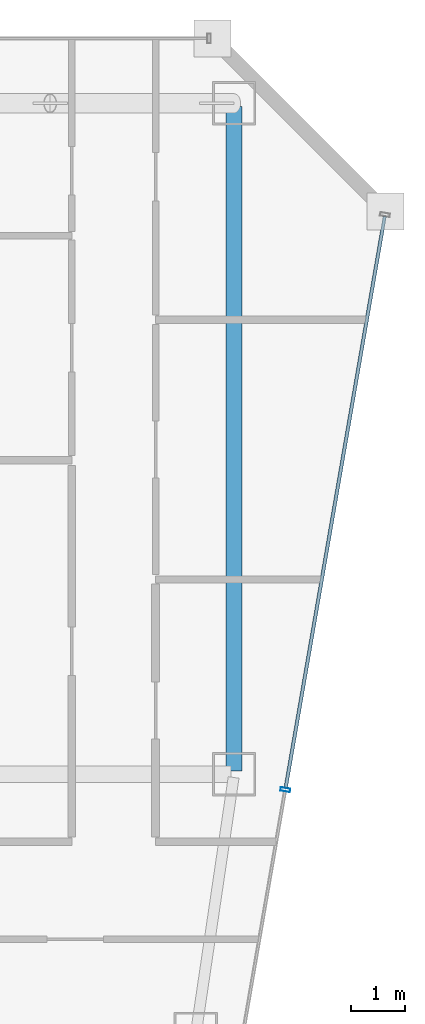
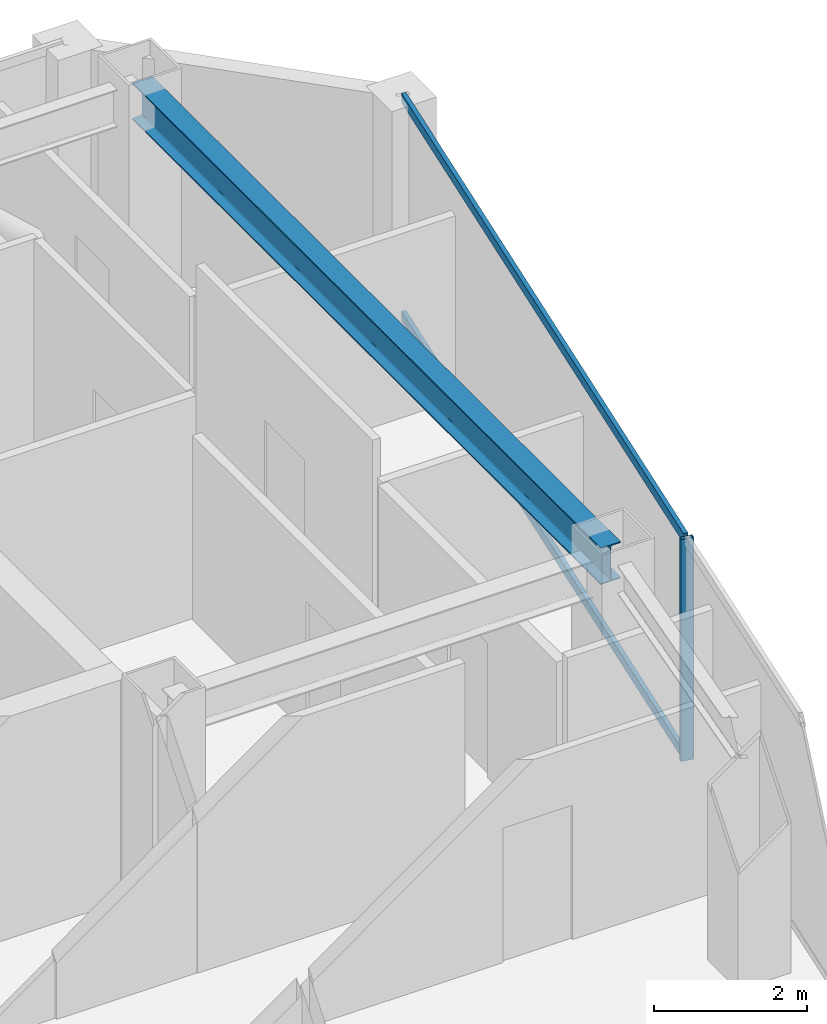
# One storey, part 18 of 32: 3 members, 1 beam, 1 element without a shape of its own.
"""IFC4 building model written with IfcOpenShell, lengths in metres."""

from ifc_helpers import new_model, si_unit, direction, frame, origin, origin_2d, place, context, subcontext, project, spatial, hollow_rectangle, i_section, extrude, material, material_profile, profile_set, type_object, element, aggregate, save


model = new_model("IFC4")

# Units and contexts
model_context = context("Model", 3, precision=1e-05, world=origin(), true_north=direction((0.0, 1.0)))
body_context = subcontext(model_context, "Body", "Model", "MODEL_VIEW")
ifc_project = project(units=[si_unit("LENGTHUNIT", "METRE"), si_unit("AREAUNIT", "SQUARE_METRE"), si_unit("VOLUMEUNIT", "CUBIC_METRE"), si_unit("PLANEANGLEUNIT", "RADIAN"), si_unit("MASSUNIT", "GRAM", prefix="KILO")], contexts=[model_context])

# Site, building, storey
site_placement = place(None, origin())
site = spatial("IfcSite", under=ifc_project, at=site_placement, CompositionType="ELEMENT")
building_placement = place(site_placement, origin())
building = spatial("IfcBuilding", under=site, at=building_placement, Name="Saevonmaru Cultural Tower", CompositionType="ELEMENT")
storey_placement = place(building_placement, frame((0.0, 0.0, 245.800048828125)))
storey = spatial("IfcBuildingStorey", under=building, at=storey_placement, Name="L57", CompositionType="ELEMENT", Elevation=245.800048828125)

# Beam
ifc_material_1 = material(Name="Steel SM355", Category="steel")
ifc_material_profile_1 = material_profile(ifc_material_1, i_section(OverallWidth=0.300048828125, OverallDepth=0.587890625, WebThickness=0.011962890625, FlangeThickness=0.02001953125, FilletRadius=0.02392578125, at=origin_2d()), Name="H-588x300x12x20")
ifc_profile_set_1 = profile_set([ifc_material_profile_1], Name="Steel SM355")
beam_type = type_object("IfcBeamType", Name="BM-G-H588", PredefinedType="BEAM", material=ifc_profile_set_1)
beam_placement = place(storey_placement, frame((53.199951171875, 54.739990234375, 3.255859375), z_axis=(0.0, -1.0, 0.0), x_axis=(1.0, 0.0, 0.0)))
element("IfcBeam", 1, at=beam_placement, inside=storey, type_object=beam_type, Name="L57 Spine Transverse Girder E", PredefinedType="BEAM", context=body_context, shape_type="SweptSolid", body=[
    extrude(i_section(OverallWidth=0.300048828125, OverallDepth=0.587890625, WebThickness=0.011962890625, FlangeThickness=0.02001953125, FilletRadius=0.02392578125, at=origin_2d()), origin(), (0.0, 0.0, 1.0), 12.280029296875),
])

# Curtain wall, members
ifc_material_2 = material(Name="Satin Bronze Anodised Aluminium", Category="aluminium")
curtain_wall_type = type_object("IfcCurtainWallType", Name="CW-TYP-B", PredefinedType="NOTDEFINED", material=ifc_material_2)
curtain_wall_placement = place(storey_placement, origin())
curtain_wall = element("IfcCurtainWall", 2, at=curtain_wall_placement, inside=storey, type_object=curtain_wall_type, Name="L57 Unitised Curtain Wall E8", PredefinedType="NOTDEFINED")
ifc_material_profile_2 = material_profile(ifc_material_2, hollow_rectangle(XDim=0.06494140625, YDim=0.179931640625, WallThickness=0.00390625, at=origin_2d()), Name="ALU-MULL-180x65x4")
ifc_profile_set_2 = profile_set([ifc_material_profile_2], Name="Satin Bronze Anodised Aluminium")
member_type_1 = type_object("IfcMemberType", Name="ML-CW-180x65", PredefinedType="MULLION", material=ifc_profile_set_2)
member_1_placement = place(storey_placement, frame((54.147705078125, 42.113525390625, 0.0), z_axis=(0.0, 0.0, 1.0), x_axis=(0.170790369887, 0.985307388359, 0.0)))
member_1 = element("IfcMember", 3, at=member_1_placement, type_object=member_type_1, Name="CW-TW-L57-E8 mullion 3", PredefinedType="MULLION", context=body_context, shape_type="SweptSolid", body=[
    extrude(hollow_rectangle(XDim=0.06494140625, YDim=0.179931640625, WallThickness=0.00390625, at=origin_2d()), origin(), (0.0, 0.0, 1.0), 3.550048828125),
])
ifc_material_profile_3 = material_profile(ifc_material_2, hollow_rectangle(XDim=0.06494140625, YDim=0.14990234375, WallThickness=0.00390625, at=origin_2d()), Name="ALU-TRAN-150x65x4")
ifc_profile_set_3 = profile_set([ifc_material_profile_3], Name="Satin Bronze Anodised Aluminium")
member_type_2 = type_object("IfcMemberType", Name="TR-CW-150x65", PredefinedType="USERDEFINED", material=ifc_profile_set_3)
member_2_placement = place(storey_placement, frame((54.1533203125, 42.145751953125, 0.032470703125), z_axis=(0.170773163608, 0.985310370691, 0.0), x_axis=(-0.985310370691, 0.170773163608, 0.0)))
member_2 = element("IfcMember", 4, at=member_2_placement, type_object=member_type_2, Name="CW-TW-L57-E8 transom 3.1", ObjectType="TRANSOM", PredefinedType="USERDEFINED", context=body_context, shape_type="SweptSolid", body=[
    extrude(hollow_rectangle(XDim=0.06494140625, YDim=0.14990234375, WallThickness=0.00390625, at=origin_2d()), origin(), (0.0, 0.0, 1.0), 10.720703125),
])
member_3_placement = place(storey_placement, frame((54.1533203125, 42.145751953125, 3.517333984375), z_axis=(0.170773163608, 0.985310370691, 0.0), x_axis=(-0.985310370691, 0.170773163608, 0.0)))
member_3 = element("IfcMember", 5, at=member_3_placement, type_object=member_type_2, Name="CW-TW-L57-E8 transom 3.2", ObjectType="TRANSOM", PredefinedType="USERDEFINED", context=body_context, shape_type="SweptSolid", body=[
    extrude(hollow_rectangle(XDim=0.06494140625, YDim=0.14990234375, WallThickness=0.00390625, at=origin_2d()), origin(), (0.0, 0.0, 1.0), 10.720703125),
])
aggregate(curtain_wall, [member_1, member_2, member_3])

save(model, "model.ifc")
